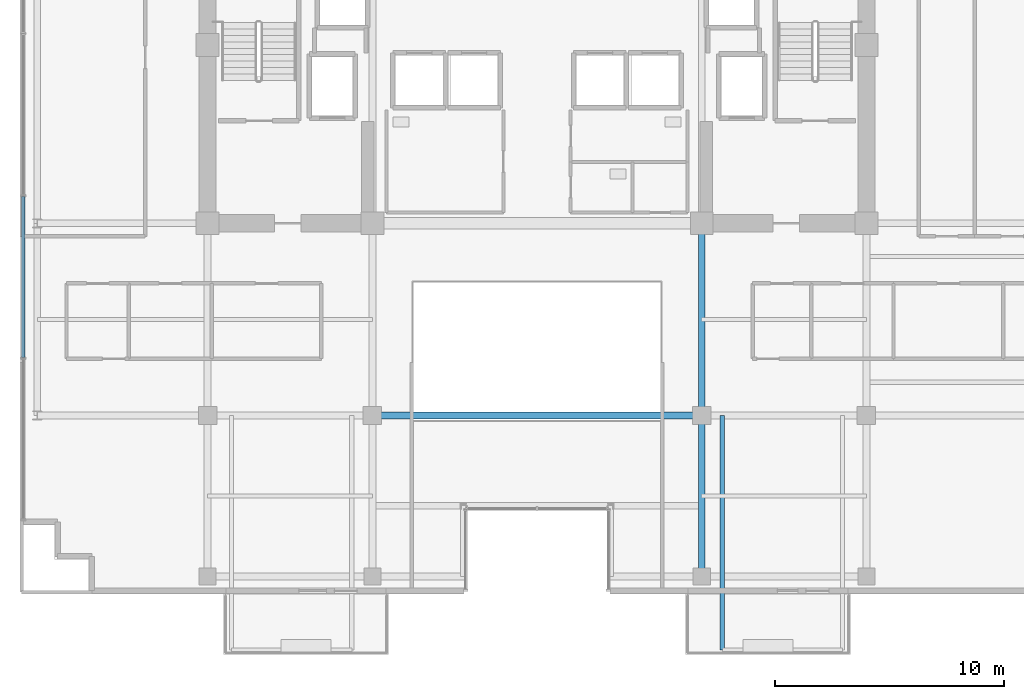
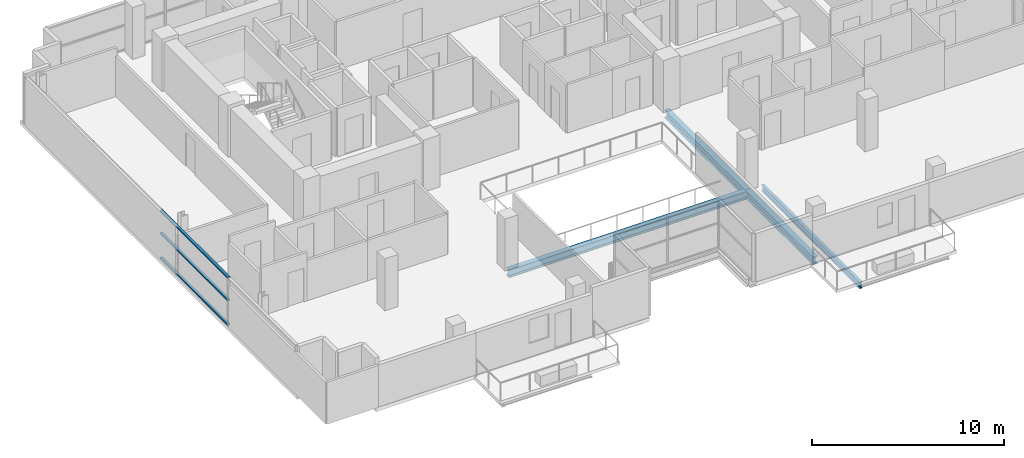
# One storey, part 6 of 21: 4 beams, 3 members, 1 element without a shape of its own.
"""IFC4 building model written with IfcOpenShell, lengths in metres."""

from ifc_helpers import new_model, si_unit, direction, frame, origin, origin_2d, place, context, subcontext, project, spatial, hollow_rectangle, i_section, extrude, source, transform, mapped, material, layer, layer_set, material_profile, profile_set, type_object, element, aggregate, save


model = new_model("IFC4")

# Units and contexts
model_context = context("Model", 3, precision=1e-05, world=origin(), true_north=direction((0.0, 1.0)))
body_context = subcontext(model_context, "Body", "Model", "MODEL_VIEW")
ifc_project = project(units=[si_unit("LENGTHUNIT", "METRE"), si_unit("AREAUNIT", "SQUARE_METRE"), si_unit("VOLUMEUNIT", "CUBIC_METRE"), si_unit("PLANEANGLEUNIT", "RADIAN"), si_unit("MASSUNIT", "GRAM", prefix="KILO")], contexts=[model_context])

# Site, building, storey
site_placement = place(None, origin())
site = spatial("IfcSite", under=ifc_project, at=site_placement, CompositionType="ELEMENT")
building_placement = place(site_placement, origin())
building = spatial("IfcBuilding", under=site, at=building_placement, Name="Zarnakvel Exchange Tower", CompositionType="ELEMENT")
storey_placement = place(building_placement, frame((0.0, 0.0, 182.5)))
storey = spatial("IfcBuildingStorey", under=building, at=storey_placement, Name="L51", CompositionType="ELEMENT", Elevation=182.5)

# Beams
ifc_material_1 = material(Name="Steel S355", Category="steel")
ifc_material_profile_1 = material_profile(ifc_material_1, i_section(OverallWidth=0.179931640625, OverallDepth=0.39990234375, WebThickness=0.008544921875, FlangeThickness=0.013427734375, FilletRadius=0.02099609375, at=origin_2d()))
ifc_profile_set_1 = profile_set([ifc_material_profile_1], Name="Steel S355")
beam_type_1 = type_object("IfcBeamType", Name="B-06", PredefinedType="JOIST", material=ifc_profile_set_1)
beam_1_placement = place(storey_placement, frame((8.10009765625, -9.60009765625, -0.425048828125), z_axis=(0.0, -1.0, 0.0), x_axis=(1.0, 0.0, 0.0)))
element("IfcBeam", 1, at=beam_1_placement, inside=storey, type_object=beam_type_1, Name="L51 Continuous Back-Spanned Balcony Beam W", PredefinedType="JOIST", context=body_context, shape_type="SweptSolid", body=[
    extrude(i_section(OverallWidth=0.179931640625, OverallDepth=0.39990234375, WebThickness=0.008544921875, FlangeThickness=0.013427734375, FilletRadius=0.02099609375, at=origin_2d()), origin(), (0.0, 0.0, 1.0), 10.25),
])
ifc_material_profile_2 = material_profile(ifc_material_1, i_section(OverallWidth=0.300048828125, OverallDepth=0.5, WebThickness=0.014404296875, FlangeThickness=0.028076171875, FilletRadius=0.027099609375, at=origin_2d()))
ifc_profile_set_2 = profile_set([ifc_material_profile_2], Name="Steel S355")
beam_type_2 = type_object("IfcBeamType", Name="G-06", PredefinedType="BEAM", material=ifc_profile_set_2)
beam_2_placement = place(storey_placement, frame((-7.199951171875, -9.60009765625, -0.47509765625), z_axis=(1.0, 0.0, 0.0), x_axis=(0.0, 1.0, 0.0)))
element("IfcBeam", 2, at=beam_2_placement, inside=storey, type_object=beam_type_2, Name="L51 Tower E-W Frame Beam", PredefinedType="BEAM", context=body_context, shape_type="SweptSolid", body=[
    extrude(i_section(OverallWidth=0.300048828125, OverallDepth=0.5, WebThickness=0.014404296875, FlangeThickness=0.028076171875, FilletRadius=0.027099609375, at=origin_2d()), origin(), (0.0, 0.0, 1.0), 14.39990234375),
])
beam_3_placement = place(storey_placement, frame((7.199951171875, -16.64990234375, -0.47509765625), z_axis=(0.0, 1.0, 0.0), x_axis=(-1.0, 0.0, 0.0)))
element("IfcBeam", 3, at=beam_3_placement, inside=storey, type_object=beam_type_2, Name="L51 Tower N-S Frame Beam", PredefinedType="BEAM", context=body_context, shape_type="SweptSolid", body=[
    extrude(i_section(OverallWidth=0.300048828125, OverallDepth=0.5, WebThickness=0.014404296875, FlangeThickness=0.028076171875, FilletRadius=0.027099609375, at=origin_2d()), origin(), (0.0, 0.0, 1.0), 7.0498046875),
])
beam_4_placement = place(storey_placement, frame((7.199951171875, -9.60009765625, -0.47509765625), z_axis=(0.0, 1.0, 0.0), x_axis=(-1.0, 0.0, 0.0)))
element("IfcBeam", 4, at=beam_4_placement, inside=storey, type_object=beam_type_2, Name="L51 Tower N-S Frame Beam", PredefinedType="BEAM", context=body_context, shape_type="SweptSolid", body=[
    extrude(i_section(OverallWidth=0.300048828125, OverallDepth=0.5, WebThickness=0.014404296875, FlangeThickness=0.028076171875, FilletRadius=0.027099609375, at=origin_2d()), origin(), (0.0, 0.0, 1.0), 8.400146484375),
])

# Curtain wall, members
ifc_material_2 = material(Name="Architectural Bronze Anodised Aluminium", Category="aluminium")
ifc_layer = layer(ifc_material_2, 0.199951171875)
ifc_layer_set = layer_set([ifc_layer], Name="Architectural Bronze Anodised Aluminium")
curtain_wall_type = type_object("IfcCurtainWallType", Name="CW-04", PredefinedType="NOTDEFINED", material=ifc_layer_set)
curtain_wall_placement = place(storey_placement, origin())
curtain_wall = element("IfcCurtainWall", 5, at=curtain_wall_placement, inside=storey, type_object=curtain_wall_type, Name="L51 Curtain Wall CW-L51-W1 (CW-04)", PredefinedType="NOTDEFINED")
ifc_material_profile_3 = material_profile(ifc_material_2, hollow_rectangle(XDim=0.159912109375, YDim=0.074951171875, WallThickness=0.00390625, at=origin_2d()))
ifc_profile_set_3 = profile_set([ifc_material_profile_3], Name="Architectural Bronze Anodised Aluminium")
member_type = type_object("IfcMemberType", Name="CWT-04", PredefinedType="USERDEFINED", material=ifc_profile_set_3)
shared_shape = source(origin(), body_context, "Body", "SweptSolid", [
    extrude(hollow_rectangle(XDim=0.159912109375, YDim=0.074951171875, WallThickness=0.00390625, at=origin_2d()), origin(), (0.0, 0.0, 1.0), 7.02490234375),
])
member_1_placement = place(storey_placement, frame((-22.4599609375, -7.0625, 0.03759765625), z_axis=(0.0, 1.0, 0.0), x_axis=(-1.0, 0.0, 0.0)))
member_1 = element("IfcMember", 6, at=member_1_placement, type_object=member_type, Name="CW-04 transom 2.1", ObjectType="TRANSOM", PredefinedType="USERDEFINED", context=body_context, shape_type="MappedRepresentation", body=[
    mapped(shared_shape, transform((0.0, 0.0, 0.0), x_axis=(1.0, 0.0, 0.0), y_axis=(0.0, 1.0, 0.0), z_axis=(0.0, 0.0, 1.0), scale=1.0)),
])
member_2_placement = place(storey_placement, frame((-22.4599609375, -7.0625, 1.588623046875), z_axis=(0.0, 1.0, 0.0), x_axis=(-1.0, 0.0, 0.0)))
member_2 = element("IfcMember", 7, at=member_2_placement, type_object=member_type, Name="CW-04 transom 2.2", ObjectType="TRANSOM", PredefinedType="USERDEFINED", context=body_context, shape_type="MappedRepresentation", body=[
    mapped(shared_shape, transform((0.0, 0.0, 0.0), x_axis=(1.0, 0.0, 0.0), y_axis=(0.0, 1.0, 0.0), z_axis=(0.0, 0.0, 1.0), scale=1.0)),
])
member_3_placement = place(storey_placement, frame((-22.4599609375, -7.0625, 3.017578125), z_axis=(0.0, 1.0, 0.0), x_axis=(-1.0, 0.0, 0.0)))
member_3 = element("IfcMember", 8, at=member_3_placement, type_object=member_type, Name="CW-04 transom 2.3", ObjectType="TRANSOM", PredefinedType="USERDEFINED", context=body_context, shape_type="MappedRepresentation", body=[
    mapped(shared_shape, transform((0.0, 0.0, 0.0), x_axis=(1.0, 0.0, 0.0), y_axis=(0.0, 1.0, 0.0), z_axis=(0.0, 0.0, 1.0), scale=1.0)),
])
aggregate(curtain_wall, [member_1, member_2, member_3])

save(model, "model.ifc")
